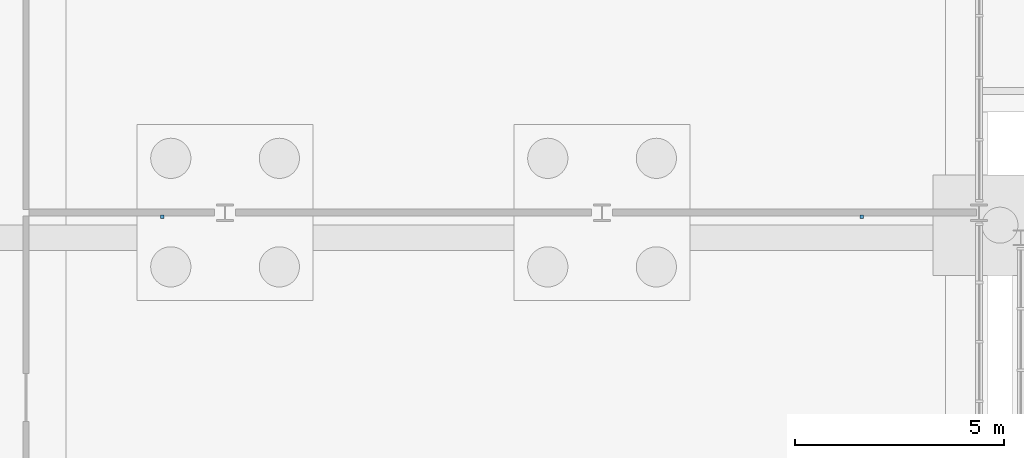
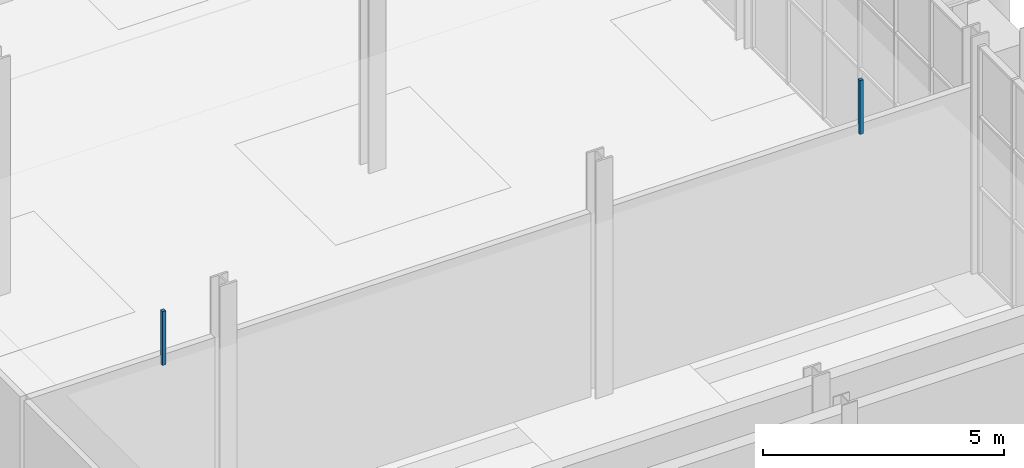
# One storey, part 110 of 131: 2 discrete accessories.
"""IFC4 building model written with IfcOpenShell, lengths in metres."""

from ifc_helpers import new_model, si_unit, direction, frame, origin, origin_2d, place, context, subcontext, project, spatial, rectangle, extrude, material, type_object, element, save


model = new_model("IFC4")

# Units and contexts
model_context = context("Model", 3, precision=1e-05, world=origin(), true_north=direction((0.0, 1.0)))
body_context = subcontext(model_context, "Body", "Model", "MODEL_VIEW")
ifc_project = project(units=[si_unit("LENGTHUNIT", "METRE"), si_unit("AREAUNIT", "SQUARE_METRE"), si_unit("VOLUMEUNIT", "CUBIC_METRE"), si_unit("PLANEANGLEUNIT", "RADIAN"), si_unit("MASSUNIT", "GRAM", prefix="KILO")], contexts=[model_context])

# Site, building, storey
site_placement = place(None, origin())
site = spatial("IfcSite", under=ifc_project, at=site_placement, CompositionType="ELEMENT")
building_placement = place(site_placement, origin())
building = spatial("IfcBuilding", under=site, at=building_placement, Name="Cazmaro Siding Exhibition Halls", CompositionType="ELEMENT")
storey_placement = place(building_placement, origin())
storey = spatial("IfcBuildingStorey", under=building, at=storey_placement, Name="L00", CompositionType="ELEMENT", Elevation=0.0)

# Discrete accessories
ifc_material = material(Name="Steel ASTM A572 Grade 50", Category="steel")
discrete_accessory_type = type_object("IfcDiscreteAccessoryType", Name="SBK-02", PredefinedType="BRACKET", material=ifc_material)
for number, where, z_axis, x_axis, name in (
    (1, (16.5, 63.5, 4.419921875), (0.0, 0.0, 1.0), (1.0, 0.0, 0.0), "Ceiling Cloud Hanger Bracket SBK-02 001"),
    (2, (33.199951171875, 63.5, 4.419921875), (0.0, 0.0, 1.0), (1.0, 0.0, 0.0), "Ceiling Cloud Hanger Bracket SBK-02 002"),
):
    element("IfcDiscreteAccessory", number, at=place(storey_placement, frame(where, z_axis=z_axis, x_axis=x_axis)), inside=storey, type_object=discrete_accessory_type, Name=name, PredefinedType="BRACKET", context=body_context, shape_type="SweptSolid", body=[
        extrude(rectangle(XDim=0.080078125, YDim=0.080078125, at=origin_2d()), origin(), (0.0, 0.0, 1.0), 1.3701171875),
    ])

save(model, "model.ifc")
